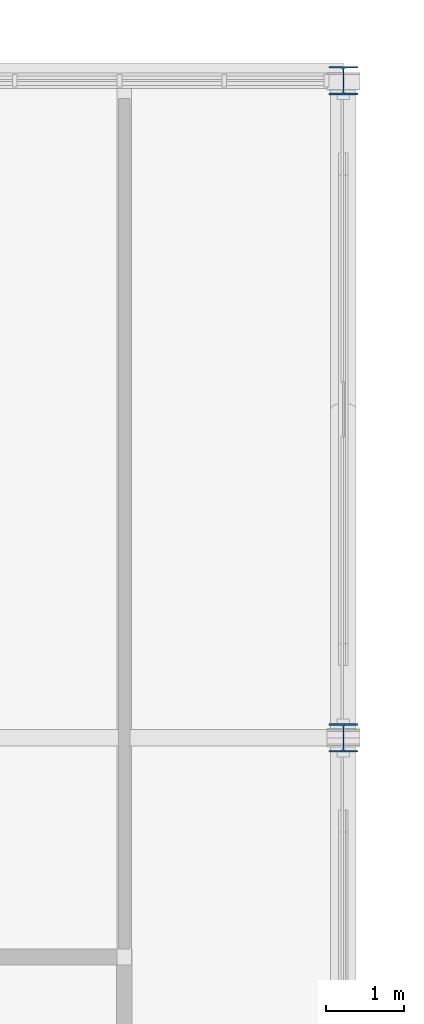
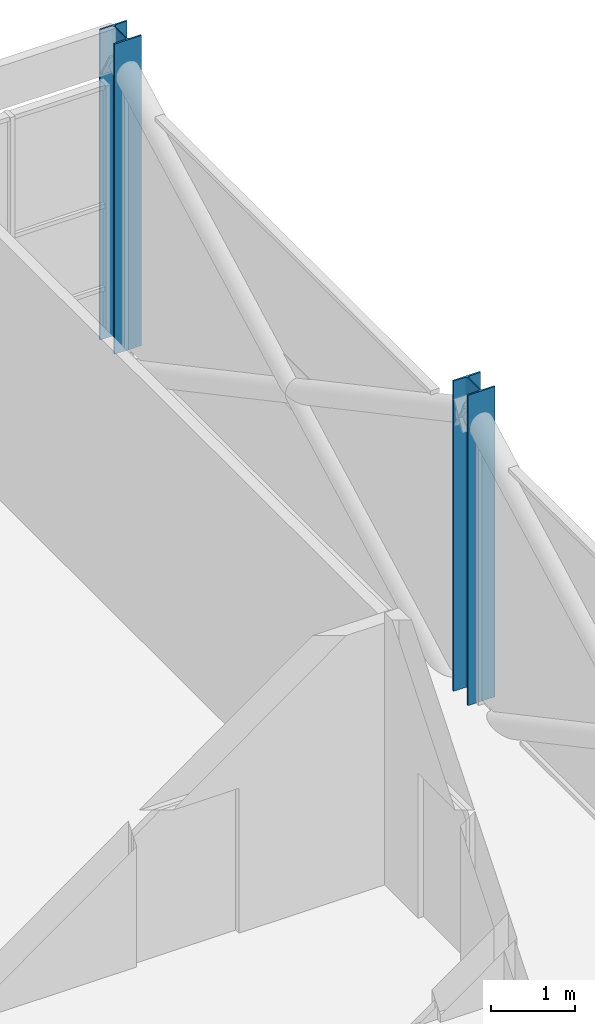
# One storey, part 12 of 129: 2 columns.
"""IFC4 building model written with IfcOpenShell, lengths in metres."""

from ifc_helpers import new_model, si_unit, direction, frame, origin, origin_2d, place, context, subcontext, project, spatial, i_section, extrude, material, material_profile, profile_set, type_object, element, save


model = new_model("IFC4")

# Units and contexts
model_context = context("Model", 3, precision=1e-05, world=origin(), true_north=direction((0.0, 1.0)))
body_context = subcontext(model_context, "Body", "Model", "MODEL_VIEW")
ifc_project = project(units=[si_unit("LENGTHUNIT", "METRE"), si_unit("AREAUNIT", "SQUARE_METRE"), si_unit("VOLUMEUNIT", "CUBIC_METRE"), si_unit("PLANEANGLEUNIT", "RADIAN"), si_unit("MASSUNIT", "GRAM", prefix="KILO")], contexts=[model_context])

# Site, building, storey
site_placement = place(None, origin())
site = spatial("IfcSite", under=ifc_project, at=site_placement, CompositionType="ELEMENT")
building_placement = place(site_placement, origin())
building = spatial("IfcBuilding", under=site, at=building_placement, Name="Ardhachandra Cancer Care Centre", CompositionType="ELEMENT")
storey_placement = place(building_placement, frame((0.0, 0.0, 4.5)))
storey = spatial("IfcBuildingStorey", under=building, at=storey_placement, Name="L01", CompositionType="ELEMENT", Elevation=4.5)

# Columns
ifc_material = material(Name="Steel E350 (IS 2062)", Category="steel")
ifc_material_profile = material_profile(ifc_material, i_section(OverallWidth=0.37109375, OverallDepth=0.364013671875, WebThickness=0.01318359375, FlangeThickness=0.021728515625, FilletRadius=0.027099609375, at=origin_2d()), Name="WPB 360x370x165.34")
ifc_profile_set = profile_set([ifc_material_profile], Name="Steel E350 (IS 2062)")
column_type = type_object("IfcColumnType", Name="Column WPB 360x370x165.34", PredefinedType="COLUMN", material=ifc_profile_set)
for number, where, z_axis, x_axis, name in (
    (1, (145.199951171875, 96.60009765625, 0.0), (0.0, 0.0, 1.0), (1.0, 0.0, 0.0), "Column L17 L01"),
    (2, (145.199951171875, 105.0, 0.0), (0.0, 0.0, 1.0), (1.0, 0.0, 0.0), "Column M17 L01"),
):
    element("IfcColumn", number, at=place(storey_placement, frame(where, z_axis=z_axis, x_axis=x_axis)), inside=storey, type_object=column_type, Name=name, PredefinedType="COLUMN", context=body_context, shape_type="SweptSolid", body=[
        extrude(i_section(OverallWidth=0.37109375, OverallDepth=0.364013671875, WebThickness=0.01318359375, FlangeThickness=0.021728515625, FilletRadius=0.027099609375, at=origin_2d()), origin(), (0.0, 0.0, 1.0), 4.5),
    ])

save(model, "model.ifc")
